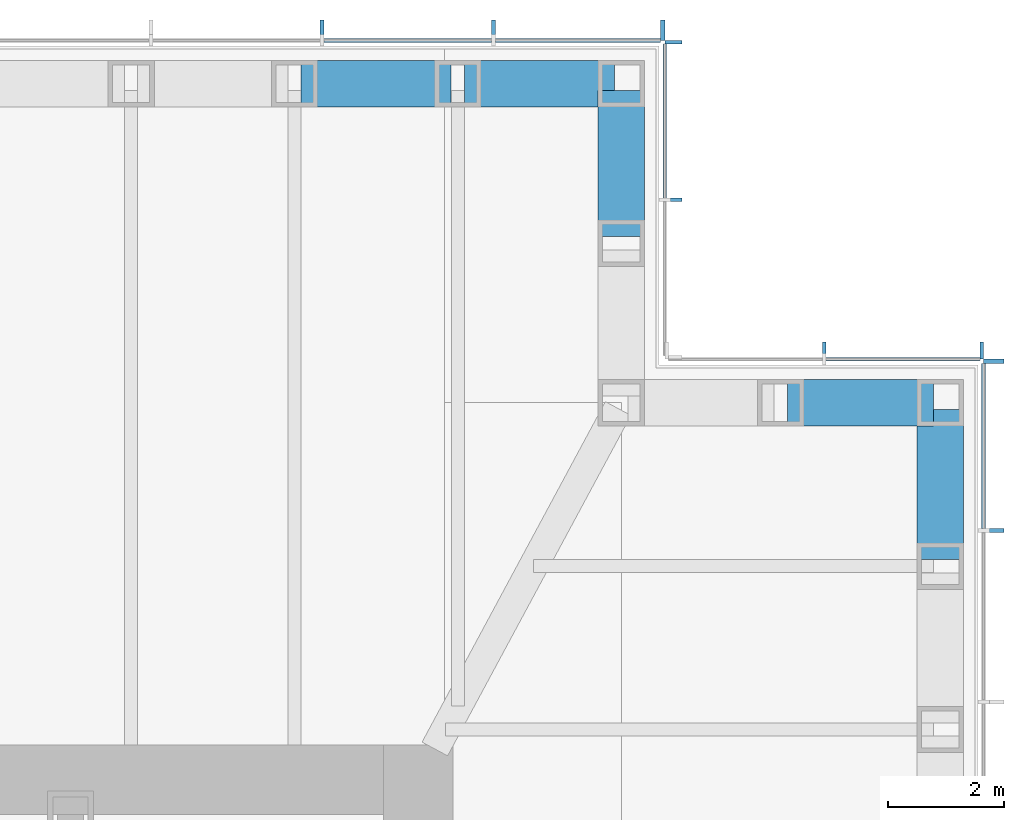
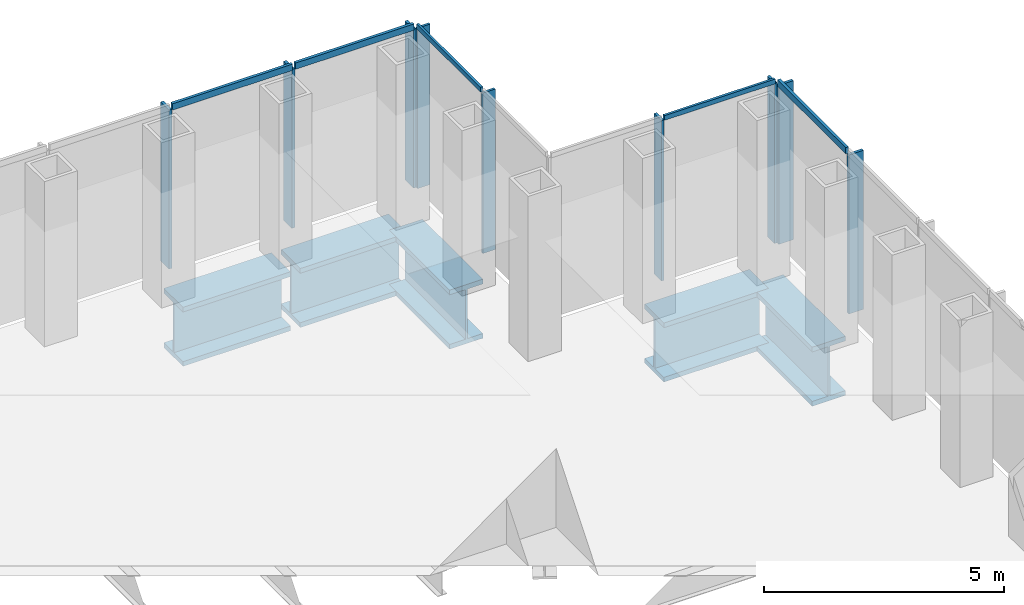
# One storey, part 6 of 16: 14 members, 5 beams, 4 elements without a shape of their own.
"""IFC4 building model written with IfcOpenShell, lengths in metres."""

from ifc_helpers import new_model, si_unit, direction, frame, origin, origin_2d, place, context, subcontext, project, spatial, rectangle, i_section, extrude, material, material_profile, profile_set, type_object, element, aggregate, save


model = new_model("IFC4")

# Units and contexts
model_context = context("Model", 3, precision=1e-05, world=origin(), true_north=direction((0.0, 1.0)))
body_context = subcontext(model_context, "Body", "Model", "MODEL_VIEW")
ifc_project = project(units=[si_unit("LENGTHUNIT", "METRE"), si_unit("AREAUNIT", "SQUARE_METRE"), si_unit("VOLUMEUNIT", "CUBIC_METRE"), si_unit("PLANEANGLEUNIT", "RADIAN"), si_unit("MASSUNIT", "GRAM", prefix="KILO")], contexts=[model_context])

# Site, building, storey
site_placement = place(None, origin())
site = spatial("IfcSite", under=ifc_project, at=site_placement, CompositionType="ELEMENT")
building_placement = place(site_placement, origin())
building = spatial("IfcBuilding", under=site, at=building_placement, Name="Daluyong Arena Tower", CompositionType="ELEMENT")
storey_placement = place(building_placement, frame((0.0, 0.0, 240.10009765625)))
storey = spatial("IfcBuildingStorey", under=building, at=storey_placement, Name="L54", CompositionType="ELEMENT", Elevation=240.10009765625)

# Curtain wall, members
ifc_material_1 = material(Name="Bronze anodised aluminium and glass", Category="aluminium")
curtain_wall_type_1 = type_object("IfcCurtainWallType", Name="Curtain wall CW3", PredefinedType="USERDEFINED", material=ifc_material_1)
curtain_wall_1_placement = place(storey_placement, origin())
curtain_wall_1 = element("IfcCurtainWall", 1, at=curtain_wall_1_placement, inside=storey, type_object=curtain_wall_type_1, Name="curtain wall L54 E", ObjectType="UNITISED CURTAIN WALL", PredefinedType="USERDEFINED")
ifc_material_2 = material(Name="Bronze anodised aluminium fin", Category="aluminium")
ifc_material_profile_1 = material_profile(ifc_material_2, rectangle(XDim=0.35009765625, YDim=0.070068359375, at=origin_2d()))
ifc_profile_set_1 = profile_set([ifc_material_profile_1], Name="Bronze anodised aluminium fin")
member_type_1 = type_object("IfcMemberType", Name="CW3 bronze fin 350x70", PredefinedType="MULLION", material=ifc_profile_set_1)
member_1_placement = place(storey_placement, frame((77.925048828125, 93.29541015625, 0.0), z_axis=(0.0, 0.0, 1.0), x_axis=(-1.0, 0.0, 0.0)))
member_1 = element("IfcMember", 2, at=member_1_placement, type_object=member_type_1, Name="curtain wall L54 E fin 11", PredefinedType="MULLION", context=body_context, shape_type="SweptSolid", body=[
    extrude(rectangle(XDim=0.35009765625, YDim=0.070068359375, at=origin_2d()), origin(), (0.0, 0.0, 1.0), 4.039794921875),
])
member_2_placement = place(storey_placement, frame((77.925048828125, 96.215087890625, 0.0), z_axis=(0.0, 0.0, 1.0), x_axis=(-1.0, 0.0, 0.0)))
member_2 = element("IfcMember", 3, at=member_2_placement, type_object=member_type_1, Name="curtain wall L54 E fin 12", PredefinedType="MULLION", context=body_context, shape_type="SweptSolid", body=[
    extrude(rectangle(XDim=0.35009765625, YDim=0.070068359375, at=origin_2d()), origin(), (0.0, 0.0, 1.0), 4.039794921875),
])

curtain_wall_2_placement = place(storey_placement, origin())
curtain_wall_2 = element("IfcCurtainWall", 4, at=curtain_wall_2_placement, inside=storey, type_object=curtain_wall_type_1, Name="curtain wall L54 N", ObjectType="UNITISED CURTAIN WALL", PredefinedType="USERDEFINED")
member_3_placement = place(storey_placement, frame((72.215087890625, 101.925048828125, 0.0), z_axis=(0.0, 0.0, 1.0), x_axis=(0.0, -1.0, 0.0)))
member_3 = element("IfcMember", 5, at=member_3_placement, type_object=member_type_1, Name="curtain wall L54 N fin 1", PredefinedType="MULLION", context=body_context, shape_type="SweptSolid", body=[
    extrude(rectangle(XDim=0.35009765625, YDim=0.070068359375, at=origin_2d()), origin(), (0.0, 0.0, 1.0), 4.039794921875),
])
member_4_placement = place(storey_placement, frame((69.29541015625, 101.925048828125, 0.0), z_axis=(0.0, 0.0, 1.0), x_axis=(0.0, -1.0, 0.0)))
member_4 = element("IfcMember", 6, at=member_4_placement, type_object=member_type_1, Name="curtain wall L54 N fin 2", PredefinedType="MULLION", context=body_context, shape_type="SweptSolid", body=[
    extrude(rectangle(XDim=0.35009765625, YDim=0.070068359375, at=origin_2d()), origin(), (0.0, 0.0, 1.0), 4.039794921875),
])
member_5_placement = place(storey_placement, frame((66.3408203125, 101.925048828125, 0.0), z_axis=(0.0, 0.0, 1.0), x_axis=(0.0, -1.0, 0.0)))
member_5 = element("IfcMember", 7, at=member_5_placement, type_object=member_type_1, Name="curtain wall L54 N fin 3", PredefinedType="MULLION", context=body_context, shape_type="SweptSolid", body=[
    extrude(rectangle(XDim=0.35009765625, YDim=0.070068359375, at=origin_2d()), origin(), (0.0, 0.0, 1.0), 4.039794921875),
])

# Member
ifc_material_3 = material(Name="Bronze anodised aluminium", Category="aluminium")
ifc_material_profile_2 = material_profile(ifc_material_3, rectangle(XDim=0.070068359375, YDim=0.159912109375, at=origin_2d()))
ifc_profile_set_2 = profile_set([ifc_material_profile_2], Name="Bronze anodised aluminium")
member_type_2 = type_object("IfcMemberType", Name="CW3 stack transom 160x70", PredefinedType="USERDEFINED", material=ifc_profile_set_2)
member_6_placement = place(storey_placement, frame((77.75, 93.33056640625, 4.119873046875), z_axis=(0.0, 1.0, 0.0), x_axis=(-1.0, 0.0, 0.0)))
member_6 = element("IfcMember", 8, at=member_6_placement, type_object=member_type_2, Name="curtain wall L54 E transom 11", ObjectType="TRANSOM", PredefinedType="USERDEFINED", context=body_context, shape_type="SweptSolid", body=[
    extrude(rectangle(XDim=0.070068359375, YDim=0.159912109375, at=origin_2d()), origin(), (0.0, 0.0, 1.0), 2.849365234375),
])

aggregate(curtain_wall_1, [member_1, member_2, member_6])

member_7_placement = place(storey_placement, frame((72.179931640625, 101.75, 4.119873046875), z_axis=(-1.0, 0.0, 0.0), x_axis=(0.0, -1.0, 0.0)))
member_7 = element("IfcMember", 9, at=member_7_placement, type_object=member_type_2, Name="curtain wall L54 N transom 1", ObjectType="TRANSOM", PredefinedType="USERDEFINED", context=body_context, shape_type="SweptSolid", body=[
    extrude(rectangle(XDim=0.070068359375, YDim=0.159912109375, at=origin_2d()), origin(), (0.0, 0.0, 1.0), 2.849365234375),
])

member_8_placement = place(storey_placement, frame((69.260498046875, 101.75, 4.119873046875), z_axis=(-1.0, 0.0, 0.0), x_axis=(0.0, -1.0, 0.0)))
member_8 = element("IfcMember", 10, at=member_8_placement, type_object=member_type_2, Name="curtain wall L54 N transom 2", ObjectType="TRANSOM", PredefinedType="USERDEFINED", context=body_context, shape_type="SweptSolid", body=[
    extrude(rectangle(XDim=0.070068359375, YDim=0.159912109375, at=origin_2d()), origin(), (0.0, 0.0, 1.0), 2.884521484375),
])

aggregate(curtain_wall_2, [member_3, member_4, member_5, member_7, member_8])

# Curtain wall, members
ifc_material_4 = material(Name="Bronze anodised aluminium and glass", Category="aluminium")
curtain_wall_type_2 = type_object("IfcCurtainWallType", Name="Curtain wall CW7", PredefinedType="USERDEFINED", material=ifc_material_4)
curtain_wall_3_placement = place(storey_placement, origin())
curtain_wall_3 = element("IfcCurtainWall", 11, at=curtain_wall_3_placement, inside=storey, type_object=curtain_wall_type_2, Name="curtain wall L54 NE-N", ObjectType="UNITISED CURTAIN WALL", PredefinedType="USERDEFINED")
ifc_material_5 = material(Name="Bronze anodised aluminium fin", Category="aluminium")
ifc_material_profile_3 = material_profile(ifc_material_5, rectangle(XDim=0.300048828125, YDim=0.06005859375, at=origin_2d()))
ifc_profile_set_3 = profile_set([ifc_material_profile_3], Name="Bronze anodised aluminium fin")
member_type_3 = type_object("IfcMemberType", Name="CW7 bronze fin 300x60", PredefinedType="MULLION", material=ifc_profile_set_3)
member_9_placement = place(storey_placement, frame((77.719970703125, 96.39990234375, 0.0), z_axis=(0.0, 0.0, 1.0), x_axis=(0.0, -1.0, 0.0)))
member_9 = element("IfcMember", 12, at=member_9_placement, type_object=member_type_3, Name="curtain wall L54 NE-N fin 1", PredefinedType="MULLION", context=body_context, shape_type="SweptSolid", body=[
    extrude(rectangle(XDim=0.300048828125, YDim=0.06005859375, at=origin_2d()), origin(), (0.0, 0.0, 1.0), 4.079833984375),
])
member_10_placement = place(storey_placement, frame((75.0, 96.39990234375, 0.0), z_axis=(0.0, 0.0, 1.0), x_axis=(0.0, -1.0, 0.0)))
member_10 = element("IfcMember", 13, at=member_10_placement, type_object=member_type_3, Name="curtain wall L54 NE-N fin 2", PredefinedType="MULLION", context=body_context, shape_type="SweptSolid", body=[
    extrude(rectangle(XDim=0.300048828125, YDim=0.06005859375, at=origin_2d()), origin(), (0.0, 0.0, 1.0), 4.079833984375),
])

curtain_wall_4_placement = place(storey_placement, origin())
curtain_wall_4 = element("IfcCurtainWall", 14, at=curtain_wall_4_placement, inside=storey, type_object=curtain_wall_type_2, Name="curtain wall L54 NE-E", ObjectType="UNITISED CURTAIN WALL", PredefinedType="USERDEFINED")
member_11_placement = place(storey_placement, frame((72.39990234375, 99.0, 0.0), z_axis=(0.0, 0.0, 1.0), x_axis=(-1.0, 0.0, 0.0)))
member_11 = element("IfcMember", 15, at=member_11_placement, type_object=member_type_3, Name="curtain wall L54 NE-E fin 2", PredefinedType="MULLION", context=body_context, shape_type="SweptSolid", body=[
    extrude(rectangle(XDim=0.300048828125, YDim=0.06005859375, at=origin_2d()), origin(), (0.0, 0.0, 1.0), 4.079833984375),
])
member_12_placement = place(storey_placement, frame((72.39990234375, 101.719970703125, 0.0), z_axis=(0.0, 0.0, 1.0), x_axis=(-1.0, 0.0, 0.0)))
member_12 = element("IfcMember", 16, at=member_12_placement, type_object=member_type_3, Name="curtain wall L54 NE-E fin 3", PredefinedType="MULLION", context=body_context, shape_type="SweptSolid", body=[
    extrude(rectangle(XDim=0.300048828125, YDim=0.06005859375, at=origin_2d()), origin(), (0.0, 0.0, 1.0), 4.079833984375),
])

# Member
ifc_material_6 = material(Name="Bronze anodised aluminium", Category="aluminium")
ifc_material_profile_4 = material_profile(ifc_material_6, rectangle(XDim=0.06005859375, YDim=0.1201171875, at=origin_2d()))
ifc_profile_set_4 = profile_set([ifc_material_profile_4], Name="Bronze anodised aluminium")
member_type_4 = type_object("IfcMemberType", Name="CW7 stack transom 120x60", PredefinedType="USERDEFINED", material=ifc_profile_set_4)
member_13_placement = place(storey_placement, frame((77.68994140625, 96.25, 4.139892578125), z_axis=(-1.0, 0.0, 0.0), x_axis=(0.0, -1.0, 0.0)))
member_13 = element("IfcMember", 17, at=member_13_placement, type_object=member_type_4, Name="curtain wall L54 NE-N transom 1", ObjectType="TRANSOM", PredefinedType="USERDEFINED", context=body_context, shape_type="SweptSolid", body=[
    extrude(rectangle(XDim=0.06005859375, YDim=0.1201171875, at=origin_2d()), origin(), (0.0, 0.0, 1.0), 2.659912109375),
])

aggregate(curtain_wall_3, [member_9, member_10, member_13])

member_14_placement = place(storey_placement, frame((72.25, 99.030029296875, 4.139892578125), z_axis=(0.0, 1.0, 0.0), x_axis=(-1.0, 0.0, 0.0)))
member_14 = element("IfcMember", 18, at=member_14_placement, type_object=member_type_4, Name="curtain wall L54 NE-E transom 2", ObjectType="TRANSOM", PredefinedType="USERDEFINED", context=body_context, shape_type="SweptSolid", body=[
    extrude(rectangle(XDim=0.06005859375, YDim=0.1201171875, at=origin_2d()), origin(), (0.0, 0.0, 1.0), 2.659912109375),
])

aggregate(curtain_wall_4, [member_11, member_12, member_14])

# Beams
ifc_material_7 = material(Name="Steel ASTM A588 Grade 50", Category="steel")
ifc_material_profile_5 = material_profile(ifc_material_7, i_section(OverallWidth=0.800048828125, OverallDepth=1.5, WebThickness=0.05, FlangeThickness=0.12, at=origin_2d()))
ifc_profile_set_5 = profile_set([ifc_material_profile_5], Name="Steel ASTM A588 Grade 50")
beam_type = type_object("IfcBeamType", Name="Spandrel Z3 PG1500X800", PredefinedType="SPANDREL", material=ifc_profile_set_5)
beam_1_placement = place(storey_placement, frame((77.0, 92.796875, -0.91015625), z_axis=(0.0, 1.0, 0.0), x_axis=(-1.0, 0.0, 0.0)))
element("IfcBeam", 19, at=beam_1_placement, inside=storey, type_object=beam_type, Name="spandrel z3 SB7", PredefinedType="SPANDREL", context=body_context, shape_type="SweptSolid", body=[
    extrude(i_section(OverallWidth=0.800048828125, OverallDepth=1.5, WebThickness=0.05, FlangeThickness=0.12, at=origin_2d()), origin(), (0.0, 0.0, 1.0), 2.588134765625),
])
for number, where, z_axis, x_axis, name in (
    (20, (76.885009765625, 95.5, -0.91015625), (-1.0, 0.0, 0.0), (0.0, -1.0, 0.0), "spandrel z3 SB7"),
    (21, (71.5, 98.364990234375, -0.91015625), (0.0, 1.0, 0.0), (-1.0, 0.0, 0.0), "spandrel z3 SB7"),
):
    element("IfcBeam", number, at=place(storey_placement, frame(where, z_axis=z_axis, x_axis=x_axis)), inside=storey, type_object=beam_type, Name=name, PredefinedType="SPANDREL", context=body_context, shape_type="SweptSolid", body=[
        extrude(i_section(OverallWidth=0.800048828125, OverallDepth=1.5, WebThickness=0.05, FlangeThickness=0.12, at=origin_2d()), origin(), (0.0, 0.0, 1.0), 2.52001953125),
    ])
beam_2_placement = place(storey_placement, frame((71.385009765625, 101.0, -0.91015625), z_axis=(-1.0, 0.0, 0.0), x_axis=(0.0, -1.0, 0.0)))
element("IfcBeam", 22, at=beam_2_placement, inside=storey, type_object=beam_type, Name="spandrel z3 SB7", PredefinedType="SPANDREL", context=body_context, shape_type="SweptSolid", body=[
    extrude(i_section(OverallWidth=0.800048828125, OverallDepth=1.5, WebThickness=0.05, FlangeThickness=0.12, at=origin_2d()), origin(), (0.0, 0.0, 1.0), 2.588134765625),
])
beam_3_placement = place(storey_placement, frame((68.56689453125, 101.0, -0.91015625), z_axis=(-1.0, 0.0, 0.0), x_axis=(0.0, -1.0, 0.0)))
element("IfcBeam", 23, at=beam_3_placement, inside=storey, type_object=beam_type, Name="spandrel z3 SB7", PredefinedType="SPANDREL", context=body_context, shape_type="SweptSolid", body=[
    extrude(i_section(OverallWidth=0.800048828125, OverallDepth=1.5, WebThickness=0.05, FlangeThickness=0.12, at=origin_2d()), origin(), (0.0, 0.0, 1.0), 2.58837890625),
])

save(model, "model.ifc")
